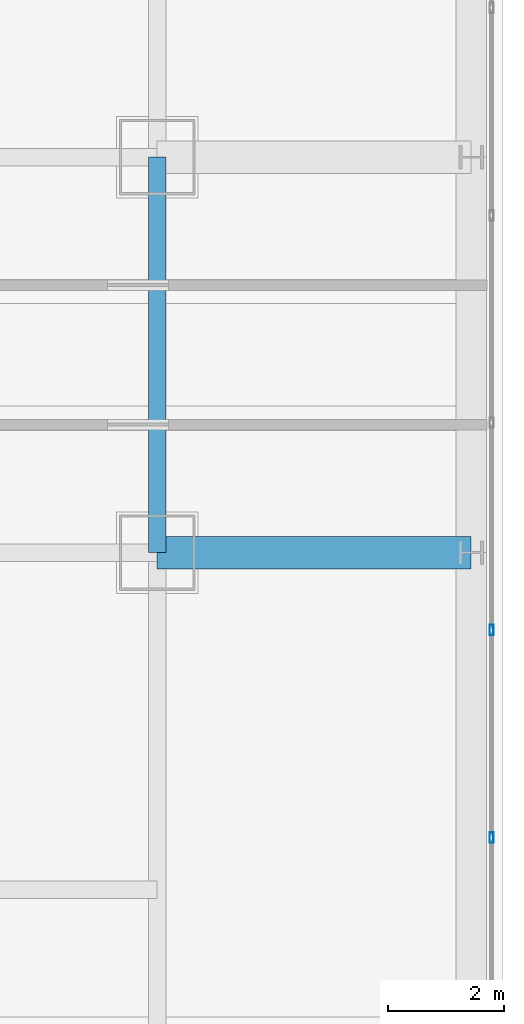
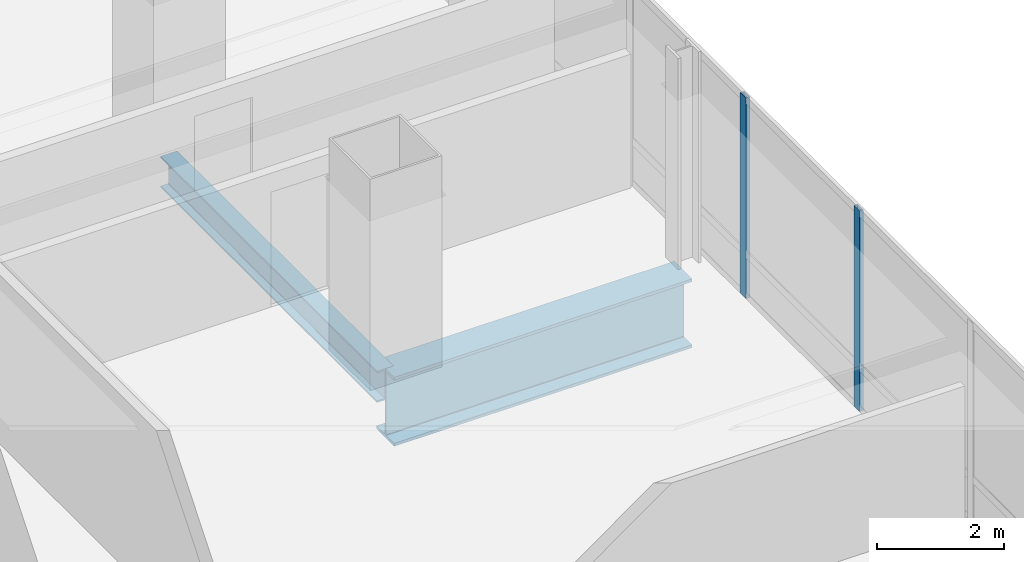
# One storey, part 15 of 44: 2 beams, 2 members, 1 element without a shape of its own.
"""IFC4 building model written with IfcOpenShell, lengths in metres."""

from ifc_helpers import new_model, si_unit, direction, frame, origin, origin_2d, place, context, subcontext, project, spatial, hollow_rectangle, i_section, extrude, material, material_profile, profile_set, type_object, element, aggregate, save


model = new_model("IFC4")

# Units and contexts
model_context = context("Model", 3, precision=1e-05, world=origin(), true_north=direction((0.0, 1.0)))
body_context = subcontext(model_context, "Body", "Model", "MODEL_VIEW")
ifc_project = project(units=[si_unit("LENGTHUNIT", "METRE"), si_unit("AREAUNIT", "SQUARE_METRE"), si_unit("VOLUMEUNIT", "CUBIC_METRE"), si_unit("PLANEANGLEUNIT", "RADIAN"), si_unit("MASSUNIT", "GRAM", prefix="KILO")], contexts=[model_context])

# Site, building, storey
site_placement = place(None, origin())
site = spatial("IfcSite", under=ifc_project, at=site_placement, CompositionType="ELEMENT")
building_placement = place(site_placement, origin())
building = spatial("IfcBuilding", under=site, at=building_placement, Name="Punatoya Terracotta Tower", CompositionType="ELEMENT")
storey_placement = place(building_placement, frame((0.0, 0.0, 267.60009765625)))
storey = spatial("IfcBuildingStorey", under=building, at=storey_placement, Name="L63", CompositionType="ELEMENT", Elevation=267.60009765625)

# Beams
ifc_material_1 = material(Name="Steel S355", Category="steel")
ifc_material_profile_1 = material_profile(ifc_material_1, i_section(OverallWidth=0.300048828125, OverallDepth=0.60009765625, WebThickness=0.015380859375, FlangeThickness=0.030029296875, FilletRadius=0.01806640625, at=origin_2d()))
ifc_profile_set_1 = profile_set([ifc_material_profile_1], Name="Steel S355")
beam_type_1 = type_object("IfcBeamType", Name="BM-PRI-600", PredefinedType="BEAM", material=ifc_profile_set_1)
beam_1_placement = place(storey_placement, frame((19.10009765625, -3.39990234375, -0.5), z_axis=(0.0, 1.0, 0.0), x_axis=(-1.0, 0.0, 0.0)))
element("IfcBeam", 1, at=beam_1_placement, inside=storey, type_object=beam_type_1, Name="BM-L63-RG-E2", PredefinedType="BEAM", context=body_context, shape_type="SweptSolid", body=[
    extrude(i_section(OverallWidth=0.300048828125, OverallDepth=0.60009765625, WebThickness=0.015380859375, FlangeThickness=0.030029296875, FilletRadius=0.01806640625, at=origin_2d()), origin(), (0.0, 0.0, 1.0), 6.7998046875),
])
ifc_material_2 = material(Name="Steel S460", Category="steel")
ifc_material_profile_2 = material_profile(ifc_material_2, i_section(OverallWidth=0.56005859375, OverallDepth=1.320068359375, WebThickness=0.035888671875, FlangeThickness=0.054931640625, FilletRadius=0.01806640625, at=origin_2d()))
ifc_profile_set_2 = profile_set([ifc_material_profile_2], Name="Steel S460")
beam_type_2 = type_object("IfcBeamType", Name="BM-TG-BLK", PredefinedType="BEAM", material=ifc_profile_set_2)
beam_2_placement = place(storey_placement, frame((19.10009765625, -3.39990234375, -0.860107421875), z_axis=(1.0, 0.0, 0.0), x_axis=(0.0, 1.0, 0.0)))
element("IfcBeam", 2, at=beam_2_placement, inside=storey, type_object=beam_type_2, Name="BM-L63-CANT-E2", PredefinedType="BEAM", context=body_context, shape_type="SweptSolid", body=[
    extrude(i_section(OverallWidth=0.56005859375, OverallDepth=1.320068359375, WebThickness=0.035888671875, FlangeThickness=0.054931640625, FilletRadius=0.01806640625, at=origin_2d()), origin(), (0.0, 0.0, 1.0), 5.39990234375),
])

# Curtain wall, members
ifc_material_3 = material(Name="Aluminium 6063-T6 + Double Low-E Glass", Category="aluminium")
curtain_wall_type = type_object("IfcCurtainWallType", Name="CW-M3", PredefinedType="NOTDEFINED", material=ifc_material_3)
curtain_wall_placement = place(storey_placement, origin())
curtain_wall = element("IfcCurtainWall", 3, at=curtain_wall_placement, inside=storey, type_object=curtain_wall_type, Name="L63 Curtain Wall CW-L63-E05-1", PredefinedType="NOTDEFINED")
ifc_material_4 = material(Name="Aluminium 6063-T6", Category="aluminium")
ifc_material_profile_3 = material_profile(ifc_material_4, hollow_rectangle(XDim=0.070068359375, YDim=0.179931640625, WallThickness=0.00390625, at=origin_2d()))
ifc_profile_set_3 = profile_set([ifc_material_profile_3], Name="Aluminium 6063-T6")
member_type = type_object("IfcMemberType", Name="CW-MUL-M3", PredefinedType="MULLION", material=ifc_profile_set_3)
member_1_placement = place(storey_placement, frame((24.85009765625, -8.302001953125, 0.0), z_axis=(0.0, 0.0, 1.0), x_axis=(1.0, 0.0, 0.0)))
member_1 = element("IfcMember", 4, at=member_1_placement, type_object=member_type, Name="CW-L63-E05-1 Mullion 02", PredefinedType="MULLION", context=body_context, shape_type="SweptSolid", body=[
    extrude(hollow_rectangle(XDim=0.070068359375, YDim=0.179931640625, WallThickness=0.00390625, at=origin_2d()), origin(), (0.0, 0.0, 1.0), 3.849853515625),
])
member_2_placement = place(storey_placement, frame((24.85009765625, -4.73486328125, 0.0), z_axis=(0.0, 0.0, 1.0), x_axis=(1.0, 0.0, 0.0)))
member_2 = element("IfcMember", 5, at=member_2_placement, type_object=member_type, Name="CW-L63-E05-1 Mullion 03", PredefinedType="MULLION", context=body_context, shape_type="SweptSolid", body=[
    extrude(hollow_rectangle(XDim=0.070068359375, YDim=0.179931640625, WallThickness=0.00390625, at=origin_2d()), origin(), (0.0, 0.0, 1.0), 3.849853515625),
])
aggregate(curtain_wall, [member_1, member_2])

save(model, "model.ifc")
